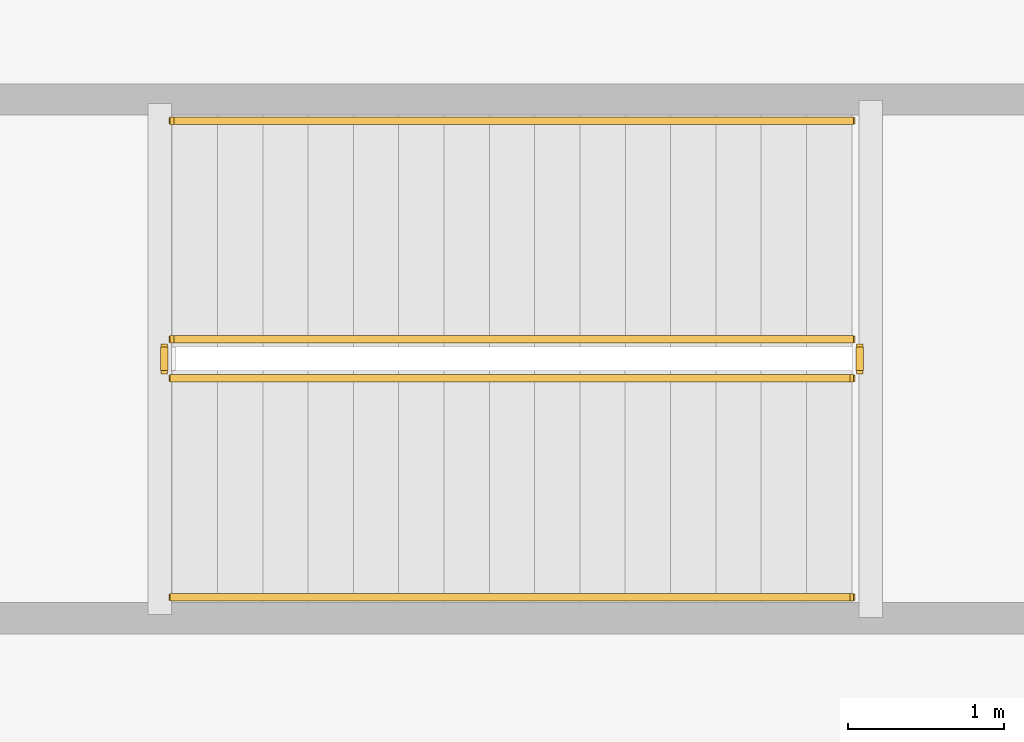
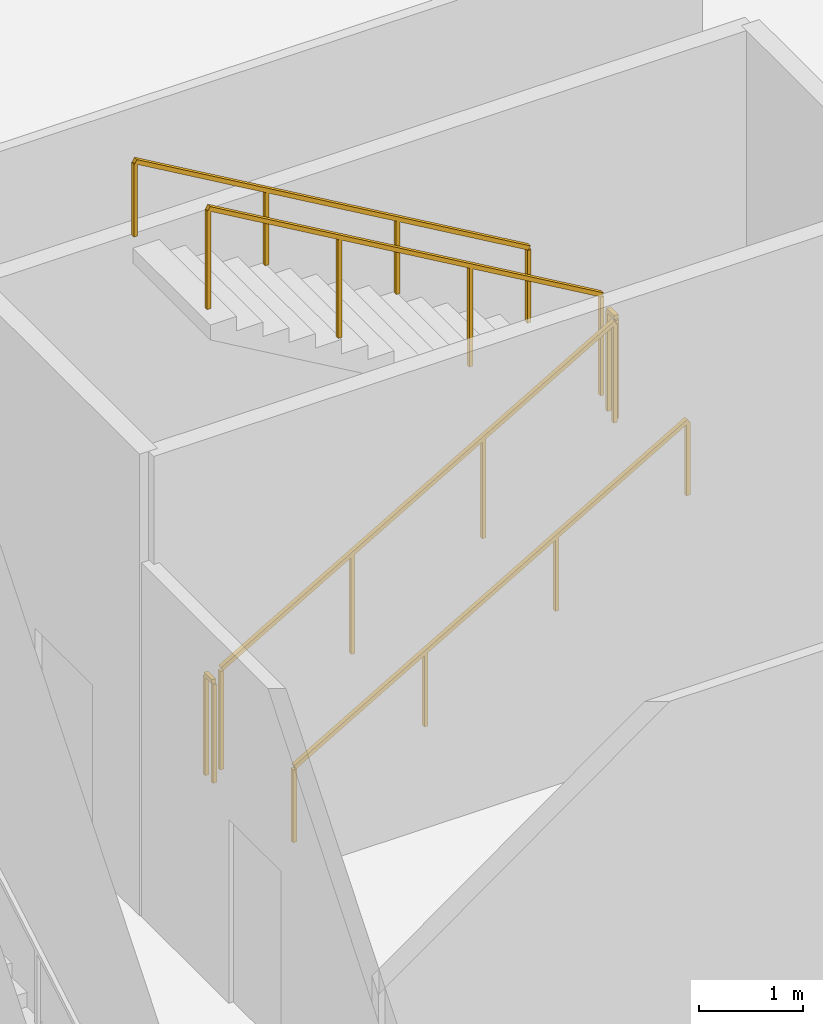
# One storey, part 24 of 24: 6 railings.
"""IFC4 building model written with IfcOpenShell, lengths in metres."""

from ifc_helpers import new_model, si_unit, direction, frame, origin, origin_2d, place, context, subcontext, project, spatial, rectangle, extrude, material, type_object, element, save


model = new_model("IFC4")

# Units and contexts
model_context = context("Model", 3, precision=1e-05, world=origin(), true_north=direction((0.0, 1.0)))
body_context = subcontext(model_context, "Body", "Model", "MODEL_VIEW")
ifc_project = project(units=[si_unit("LENGTHUNIT", "METRE"), si_unit("AREAUNIT", "SQUARE_METRE"), si_unit("VOLUMEUNIT", "CUBIC_METRE"), si_unit("PLANEANGLEUNIT", "RADIAN"), si_unit("MASSUNIT", "GRAM", prefix="KILO")], contexts=[model_context])

# Site, building, storey
site_placement = place(None, origin())
site = spatial("IfcSite", under=ifc_project, at=site_placement, CompositionType="ELEMENT")
building_placement = place(site_placement, origin())
building = spatial("IfcBuilding", under=site, at=building_placement, Name="Belovzor Exchange Tower", CompositionType="ELEMENT")
storey_placement = place(building_placement, frame((0.0, 0.0, 13.800048828125)))
storey = spatial("IfcBuildingStorey", under=building, at=storey_placement, Name="L03", CompositionType="ELEMENT", Elevation=13.800048828125)

# Railings
ifc_material_1 = material(Name="Stainless Steel Grade 304", Category="steel")
railing_type_1 = type_object("IfcRailingType", Name="Brushed Stainless Steel Stair Handrail 900", PredefinedType="HANDRAIL", material=ifc_material_1)
railing_1_placement = place(storey_placement, frame((41.39990234375, 34.300048828125, 0.168701171875)))
element("IfcRailing", 1, at=railing_1_placement, inside=storey, type_object=railing_type_1, Name="L03 ST-4 stair handrail 1", PredefinedType="HANDRAIL", context=body_context, shape_type="SweptSolid", body=[
    extrude(rectangle(XDim=0.048095703125, YDim=0.048095703125, at=origin_2d()), frame((0.0, 0.0, 0.8759765625), z_axis=(0.864323800911, 0.0, 0.50293574856), x_axis=(0.0, 1.0, 0.0)), (0.0, 0.0, 1.0), 5.032958984375),
    extrude(rectangle(XDim=0.0419921875, YDim=0.0419921875, at=origin_2d()), origin(), (0.0, 0.0, 1.0), 0.851806640625),
    extrude(rectangle(XDim=0.0419921875, YDim=0.0419921875, at=origin_2d()), frame((1.449951171875, 0.0, 0.84375)), (0.0, 0.0, 1.0), 0.851806640625),
    extrude(rectangle(XDim=0.0419921875, YDim=0.0419921875, at=origin_2d()), frame((2.900146484375, 0.0, 1.6875)), (0.0, 0.0, 1.0), 0.851806640625),
    extrude(rectangle(XDim=0.0419921875, YDim=0.0419921875, at=origin_2d()), frame((4.35009765625, 0.0, 2.53125)), (0.0, 0.0, 1.0), 0.851806640625),
])
railing_2_placement = place(storey_placement, frame((45.75, 37.35009765625, 2.86865234375)))
element("IfcRailing", 2, at=railing_2_placement, inside=storey, type_object=railing_type_1, Name="L03 ST-4 stair handrail 2", PredefinedType="HANDRAIL", context=body_context, shape_type="SweptSolid", body=[
    extrude(rectangle(XDim=0.048095703125, YDim=0.048095703125, at=origin_2d()), frame((0.0, 0.0, 0.8759765625), z_axis=(-0.864323800911, 0.0, 0.50293574856), x_axis=(0.0, -1.0, 0.0)), (0.0, 0.0, 1.0), 5.032958984375),
    extrude(rectangle(XDim=0.0419921875, YDim=0.0419921875, at=origin_2d()), origin(), (0.0, 0.0, 1.0), 0.851806640625),
    extrude(rectangle(XDim=0.0419921875, YDim=0.0419921875, at=origin_2d()), frame((-1.449951171875, 0.0, 0.84375)), (0.0, 0.0, 1.0), 0.851806640625),
    extrude(rectangle(XDim=0.0419921875, YDim=0.0419921875, at=origin_2d()), frame((-2.900146484375, 0.0, 1.6875)), (0.0, 0.0, 1.0), 0.851806640625),
    extrude(rectangle(XDim=0.0419921875, YDim=0.0419921875, at=origin_2d()), frame((-4.35009765625, 0.0, 2.53125)), (0.0, 0.0, 1.0), 0.851806640625),
])
ifc_material_2 = material(Name="Steel S355", Category="steel")
railing_type_2 = type_object("IfcRailingType", Name="Painted Steel Stairwell Guardrail 1200", PredefinedType="GUARDRAIL", material=ifc_material_2)
railing_3_placement = place(storey_placement, frame((41.39990234375, 35.699951171875, 0.168701171875)))
element("IfcRailing", 3, at=railing_3_placement, inside=storey, type_object=railing_type_2, Name="L03 ST-4 stair guard 1", PredefinedType="GUARDRAIL", context=body_context, shape_type="SweptSolid", body=[
    extrude(rectangle(XDim=0.048095703125, YDim=0.048095703125, at=origin_2d()), frame((0.0, 0.0, 1.17578125), z_axis=(0.864323800911, 0.0, 0.50293574856), x_axis=(0.0, 1.0, 0.0)), (0.0, 0.0, 1.0), 5.032958984375),
    extrude(rectangle(XDim=0.0419921875, YDim=0.0419921875, at=origin_2d()), origin(), (0.0, 0.0, 1.0), 1.15185546875),
    extrude(rectangle(XDim=0.0419921875, YDim=0.0419921875, at=origin_2d()), frame((1.449951171875, 0.0, 0.84375)), (0.0, 0.0, 1.0), 1.15185546875),
    extrude(rectangle(XDim=0.0419921875, YDim=0.0419921875, at=origin_2d()), frame((2.900146484375, 0.0, 1.6875)), (0.0, 0.0, 1.0), 1.15185546875),
    extrude(rectangle(XDim=0.0419921875, YDim=0.0419921875, at=origin_2d()), frame((4.35009765625, 0.0, 2.53125)), (0.0, 0.0, 1.0), 1.15185546875),
])
railing_4_placement = place(storey_placement, frame((45.800048828125, 35.75, 2.699951171875)))
element("IfcRailing", 4, at=railing_4_placement, inside=storey, type_object=railing_type_2, Name="L03 ST-4 stair guard 2", PredefinedType="GUARDRAIL", context=body_context, shape_type="SweptSolid", body=[
    extrude(rectangle(XDim=0.048095703125, YDim=0.048095703125, at=origin_2d()), frame((0.0, 0.0, 1.17578125), z_axis=(0.0, 1.0, 0.0), x_axis=(-1.0, 0.0, 0.0)), (0.0, 0.0, 1.0), 0.14990234375),
    extrude(rectangle(XDim=0.0419921875, YDim=0.0419921875, at=origin_2d()), origin(), (0.0, 0.0, 1.0), 1.15185546875),
    extrude(rectangle(XDim=0.0419921875, YDim=0.0419921875, at=origin_2d()), frame((0.0, 0.14990234375, 0.0)), (0.0, 0.0, 1.0), 1.15185546875),
])
railing_5_placement = place(storey_placement, frame((45.75, 35.949951171875, 2.86865234375)))
element("IfcRailing", 5, at=railing_5_placement, inside=storey, type_object=railing_type_2, Name="L03 ST-4 stair guard 3", PredefinedType="GUARDRAIL", context=body_context, shape_type="SweptSolid", body=[
    extrude(rectangle(XDim=0.048095703125, YDim=0.048095703125, at=origin_2d()), frame((0.0, 0.0, 1.17578125), z_axis=(-0.864323800911, 0.0, 0.50293574856), x_axis=(0.0, -1.0, 0.0)), (0.0, 0.0, 1.0), 5.032958984375),
    extrude(rectangle(XDim=0.0419921875, YDim=0.0419921875, at=origin_2d()), origin(), (0.0, 0.0, 1.0), 1.15185546875),
    extrude(rectangle(XDim=0.0419921875, YDim=0.0419921875, at=origin_2d()), frame((-1.449951171875, 0.0, 0.84375)), (0.0, 0.0, 1.0), 1.15185546875),
    extrude(rectangle(XDim=0.0419921875, YDim=0.0419921875, at=origin_2d()), frame((-2.900146484375, 0.0, 1.6875)), (0.0, 0.0, 1.0), 1.15185546875),
    extrude(rectangle(XDim=0.0419921875, YDim=0.0419921875, at=origin_2d()), frame((-4.35009765625, 0.0, 2.53125)), (0.0, 0.0, 1.0), 1.15185546875),
])
railing_6_placement = place(storey_placement, frame((41.35009765625, 35.75, 0.0)))
element("IfcRailing", 6, at=railing_6_placement, inside=storey, type_object=railing_type_2, Name="L03 ST-4 stair guard 4", PredefinedType="GUARDRAIL", context=body_context, shape_type="SweptSolid", body=[
    extrude(rectangle(XDim=0.048095703125, YDim=0.048095703125, at=origin_2d()), frame((0.0, 0.0, 1.17578125), z_axis=(0.0, 1.0, 0.0), x_axis=(-1.0, 0.0, 0.0)), (0.0, 0.0, 1.0), 0.14990234375),
    extrude(rectangle(XDim=0.0419921875, YDim=0.0419921875, at=origin_2d()), origin(), (0.0, 0.0, 1.0), 1.15185546875),
    extrude(rectangle(XDim=0.0419921875, YDim=0.0419921875, at=origin_2d()), frame((0.0, 0.14990234375, 0.0)), (0.0, 0.0, 1.0), 1.15185546875),
])

save(model, "model.ifc")
